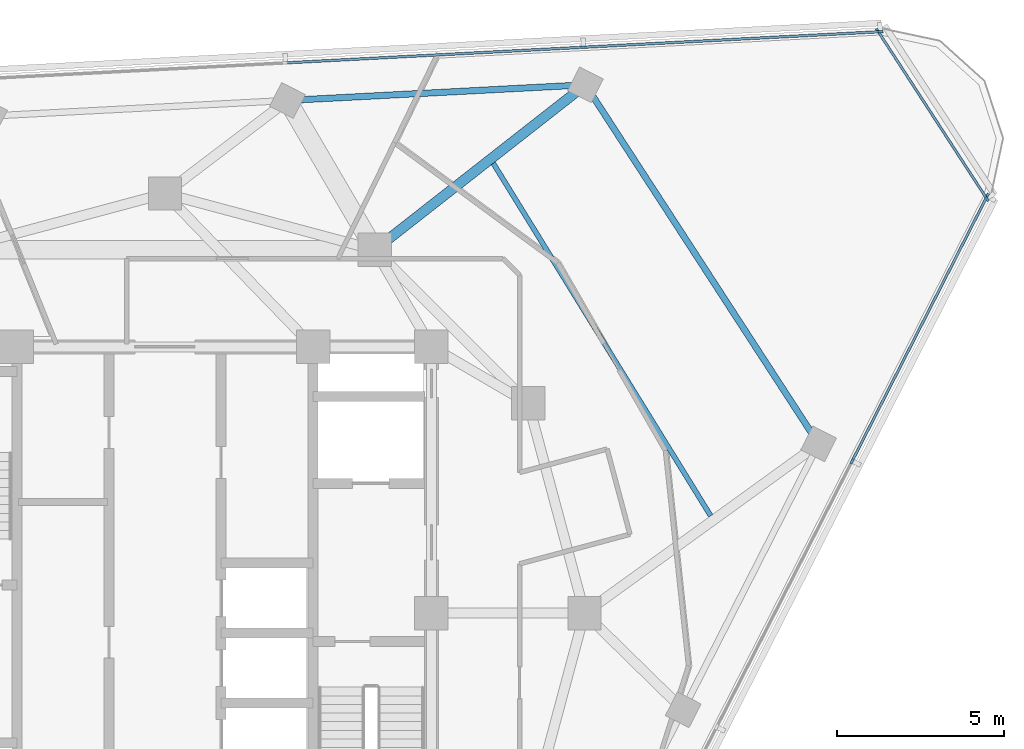
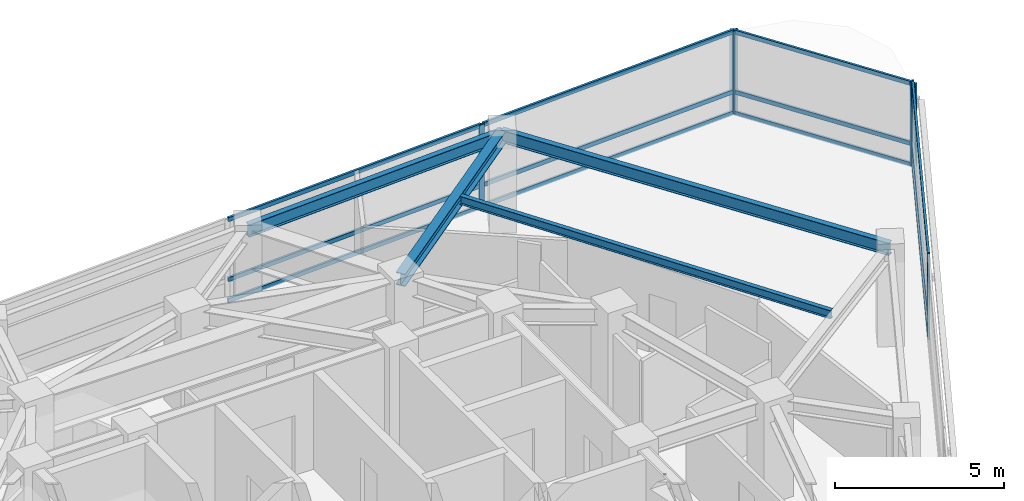
# One storey, part 6 of 15: 18 members, 4 beams, 3 elements without a shape of their own.
"""IFC4 building model written with IfcOpenShell, lengths in metres."""

from ifc_helpers import new_model, si_unit, direction, frame, origin, origin_2d, place, context, subcontext, project, spatial, rectangle, i_section, extrude, material, layer, layer_set, material_profile, profile_set, type_object, element, aggregate, save


model = new_model("IFC4")

# Units and contexts
model_context = context("Model", 3, precision=1e-05, world=origin(), true_north=direction((0.0, 1.0)))
body_context = subcontext(model_context, "Body", "Model", "MODEL_VIEW")
ifc_project = project(units=[si_unit("LENGTHUNIT", "METRE"), si_unit("AREAUNIT", "SQUARE_METRE"), si_unit("VOLUMEUNIT", "CUBIC_METRE"), si_unit("PLANEANGLEUNIT", "RADIAN"), si_unit("MASSUNIT", "GRAM", prefix="KILO")], contexts=[model_context])

# Site, building, storey
site_placement = place(None, origin())
site = spatial("IfcSite", under=ifc_project, at=site_placement, CompositionType="ELEMENT")
building_placement = place(site_placement, origin())
building = spatial("IfcBuilding", under=site, at=building_placement, Name="Terralouvre Media Tower", CompositionType="ELEMENT")
storey_placement = place(building_placement, frame((0.0, 0.0, 267.0)))
storey = spatial("IfcBuildingStorey", under=building, at=storey_placement, Name="L69", CompositionType="ELEMENT", Elevation=267.0)

# Beam
ifc_material_1 = material(Name="Structural steel S355J2", Category="steel")
ifc_material_profile_1 = material_profile(ifc_material_1, i_section(OverallWidth=0.14990234375, OverallDepth=0.300048828125, WebThickness=0.007080078125, FlangeThickness=0.0107421875, at=origin_2d()), Name="IPE 300")
ifc_profile_set_1 = profile_set([ifc_material_profile_1], Name="Structural steel S355J2")
beam_type_1 = type_object("IfcBeamType", Name="Composite Floor Joist J-IPE300 (IPE 300)", PredefinedType="JOIST", material=ifc_profile_set_1)
beam_1_placement = place(storey_placement, frame((16.387451171875, 2.9228515625, 3.35009765625), z_axis=(-0.524944877802, 0.851136226035, 0.0), x_axis=(-0.851136226035, -0.524944877802, 0.0)))
element("IfcBeam", 1, at=beam_1_placement, inside=storey, type_object=beam_type_1, Name="L69 Framing Beam JT-L69-03", PredefinedType="JOIST", context=body_context, shape_type="SweptSolid", body=[
    extrude(i_section(OverallWidth=0.14990234375, OverallDepth=0.300048828125, WebThickness=0.007080078125, FlangeThickness=0.0107421875, at=origin_2d()), origin(), (0.0, 0.0, 1.0), 12.43701171875),
])

# Curtain wall, members
ifc_material_2 = material(Name="Low-iron laminated double glazing with solar-control coating", Category="glass")
ifc_layer_1 = layer(ifc_material_2, 0.1650390625, Name="Upper Executive Tower Curtain Wall CW-05")
ifc_layer_set_1 = layer_set([ifc_layer_1], Name="Low-iron laminated double glazing with solar-control coating")
curtain_wall_type_1 = type_object("IfcCurtainWallType", Name="Upper Executive Tower Curtain Wall CW-05", PredefinedType="NOTDEFINED", material=ifc_layer_set_1)
curtain_wall_1_placement = place(storey_placement, origin())
curtain_wall_1 = element("IfcCurtainWall", 2, at=curtain_wall_1_placement, inside=storey, type_object=curtain_wall_type_1, Name="L69 Facade Curtain Wall F0", PredefinedType="NOTDEFINED")
ifc_material_3 = material(Name="Anodised extruded aluminium 6063-T6", Category="aluminium")
ifc_material_profile_2 = material_profile(ifc_material_3, rectangle(XDim=0.074951171875, YDim=0.14990234375, at=origin_2d()), Name="ALU 75x150")
ifc_profile_set_2 = profile_set([ifc_material_profile_2], Name="Anodised extruded aluminium 6063-T6")
member_type_1 = type_object("IfcMemberType", Name="Curtain-Wall Horizontal Transom TR-150", PredefinedType="USERDEFINED", material=ifc_profile_set_2)
member_1_placement = place(storey_placement, frame((20.6533203125, 4.602783203125, 0.03759765625), z_axis=(0.453989026721, 0.891007274727, 0.0), x_axis=(-0.891007274727, 0.453989026721, 0.0)))
member_1 = element("IfcMember", 3, at=member_1_placement, type_object=member_type_1, Name="CW-05 transom 5.1", ObjectType="TRANSOM", PredefinedType="USERDEFINED", context=body_context, shape_type="SweptSolid", body=[
    extrude(rectangle(XDim=0.074951171875, YDim=0.14990234375, at=origin_2d()), origin(), (0.0, 0.0, 1.0), 8.847412109375),
])
member_2_placement = place(storey_placement, frame((20.6533203125, 4.602783203125, 0.800048828125), z_axis=(0.453989026721, 0.891007274727, 0.0), x_axis=(-0.891007274727, 0.453989026721, 0.0)))
member_2 = element("IfcMember", 4, at=member_2_placement, type_object=member_type_1, Name="CW-05 transom 5.2", ObjectType="TRANSOM", PredefinedType="USERDEFINED", context=body_context, shape_type="SweptSolid", body=[
    extrude(rectangle(XDim=0.074951171875, YDim=0.14990234375, at=origin_2d()), origin(), (0.0, 0.0, 1.0), 8.847412109375),
])
member_3_placement = place(storey_placement, frame((20.6533203125, 4.602783203125, 2.96240234375), z_axis=(0.453989026721, 0.891007274727, 0.0), x_axis=(-0.891007274727, 0.453989026721, 0.0)))
member_3 = element("IfcMember", 5, at=member_3_placement, type_object=member_type_1, Name="CW-05 transom 5.3", ObjectType="TRANSOM", PredefinedType="USERDEFINED", context=body_context, shape_type="SweptSolid", body=[
    extrude(rectangle(XDim=0.074951171875, YDim=0.14990234375, at=origin_2d()), origin(), (0.0, 0.0, 1.0), 8.847412109375),
])

curtain_wall_2_placement = place(storey_placement, origin())
curtain_wall_2 = element("IfcCurtainWall", 6, at=curtain_wall_2_placement, inside=storey, type_object=curtain_wall_type_1, Name="L69 Facade Curtain Wall F1", PredefinedType="NOTDEFINED")
member_4_placement = place(storey_placement, frame((21.440673828125, 17.458740234375, 0.03759765625), z_axis=(-0.99862901196, -0.052345930801, 0.0), x_axis=(0.052345930801, -0.99862901196, 0.0)))
member_4 = element("IfcMember", 7, at=member_4_placement, type_object=member_type_1, Name="CW-05 transom 1.1", ObjectType="TRANSOM", PredefinedType="USERDEFINED", context=body_context, shape_type="SweptSolid", body=[
    extrude(rectangle(XDim=0.074951171875, YDim=0.14990234375, at=origin_2d()), origin(), (0.0, 0.0, 1.0), 8.84765625),
])
member_5_placement = place(storey_placement, frame((21.440673828125, 17.458740234375, 0.800048828125), z_axis=(-0.99862901196, -0.052345930801, 0.0), x_axis=(0.052345930801, -0.99862901196, 0.0)))
member_5 = element("IfcMember", 8, at=member_5_placement, type_object=member_type_1, Name="CW-05 transom 1.2", ObjectType="TRANSOM", PredefinedType="USERDEFINED", context=body_context, shape_type="SweptSolid", body=[
    extrude(rectangle(XDim=0.074951171875, YDim=0.14990234375, at=origin_2d()), origin(), (0.0, 0.0, 1.0), 8.84765625),
])
member_6_placement = place(storey_placement, frame((21.440673828125, 17.458740234375, 2.96240234375), z_axis=(-0.99862901196, -0.052345930801, 0.0), x_axis=(0.052345930801, -0.99862901196, 0.0)))
member_6 = element("IfcMember", 9, at=member_6_placement, type_object=member_type_1, Name="CW-05 transom 1.3", ObjectType="TRANSOM", PredefinedType="USERDEFINED", context=body_context, shape_type="SweptSolid", body=[
    extrude(rectangle(XDim=0.074951171875, YDim=0.14990234375, at=origin_2d()), origin(), (0.0, 0.0, 1.0), 8.84765625),
])
member_7_placement = place(storey_placement, frame((12.5302734375, 16.99169921875, 0.03759765625), z_axis=(-0.998629040577, -0.052345384869, 0.0), x_axis=(0.052345384869, -0.998629040577, 0.0)))
member_7 = element("IfcMember", 10, at=member_7_placement, type_object=member_type_1, Name="CW-05 transom 2.1", ObjectType="TRANSOM", PredefinedType="USERDEFINED", context=body_context, shape_type="SweptSolid", body=[
    extrude(rectangle(XDim=0.074951171875, YDim=0.14990234375, at=origin_2d()), origin(), (0.0, 0.0, 1.0), 8.885009765625),
])
member_8_placement = place(storey_placement, frame((12.5302734375, 16.99169921875, 0.800048828125), z_axis=(-0.998629040577, -0.052345384869, 0.0), x_axis=(0.052345384869, -0.998629040577, 0.0)))
member_8 = element("IfcMember", 11, at=member_8_placement, type_object=member_type_1, Name="CW-05 transom 2.2", ObjectType="TRANSOM", PredefinedType="USERDEFINED", context=body_context, shape_type="SweptSolid", body=[
    extrude(rectangle(XDim=0.074951171875, YDim=0.14990234375, at=origin_2d()), origin(), (0.0, 0.0, 1.0), 8.885009765625),
])
member_9_placement = place(storey_placement, frame((12.5302734375, 16.99169921875, 2.96240234375), z_axis=(-0.998629040577, -0.052345384869, 0.0), x_axis=(0.052345384869, -0.998629040577, 0.0)))
member_9 = element("IfcMember", 12, at=member_9_placement, type_object=member_type_1, Name="CW-05 transom 2.3", ObjectType="TRANSOM", PredefinedType="USERDEFINED", context=body_context, shape_type="SweptSolid", body=[
    extrude(rectangle(XDim=0.074951171875, YDim=0.14990234375, at=origin_2d()), origin(), (0.0, 0.0, 1.0), 8.885009765625),
])

ifc_material_4 = material(Name="Low-iron laminated double glazing with solar-control coating", Category="glass")
ifc_layer_2 = layer(ifc_material_4, 0.1650390625, Name="Rounded Wind-Corner Curved Glazing CW-04")
ifc_layer_set_2 = layer_set([ifc_layer_2], Name="Low-iron laminated double glazing with solar-control coating")
curtain_wall_type_2 = type_object("IfcCurtainWallType", Name="Rounded Wind-Corner Curved Glazing CW-04", PredefinedType="NOTDEFINED", material=ifc_layer_set_2)
curtain_wall_3_placement = place(storey_placement, origin())
curtain_wall_3 = element("IfcCurtainWall", 13, at=curtain_wall_3_placement, inside=storey, type_object=curtain_wall_type_2, Name="L69 Rounded Wind-Corner Curtain Wall C1", PredefinedType="NOTDEFINED")
member_10_placement = place(storey_placement, frame((24.65283203125, 12.48486328125, 0.03759765625), z_axis=(-0.544654480098, 0.838660537589, 0.0), x_axis=(-0.838660537589, -0.544654480098, 0.0)))
member_10 = element("IfcMember", 14, at=member_10_placement, type_object=member_type_1, Name="CW-04 transom 1.1", ObjectType="TRANSOM", PredefinedType="USERDEFINED", context=body_context, shape_type="SweptSolid", body=[
    extrude(rectangle(XDim=0.074951171875, YDim=0.14990234375, at=origin_2d()), origin(), (0.0, 0.0, 1.0), 5.912353515625),
])
member_11_placement = place(storey_placement, frame((24.65283203125, 12.48486328125, 0.800048828125), z_axis=(-0.544654480098, 0.838660537589, 0.0), x_axis=(-0.838660537589, -0.544654480098, 0.0)))
member_11 = element("IfcMember", 15, at=member_11_placement, type_object=member_type_1, Name="CW-04 transom 1.2", ObjectType="TRANSOM", PredefinedType="USERDEFINED", context=body_context, shape_type="SweptSolid", body=[
    extrude(rectangle(XDim=0.074951171875, YDim=0.14990234375, at=origin_2d()), origin(), (0.0, 0.0, 1.0), 5.912353515625),
])
member_12_placement = place(storey_placement, frame((24.65283203125, 12.48486328125, 2.96240234375), z_axis=(-0.544654480098, 0.838660537589, 0.0), x_axis=(-0.838660537589, -0.544654480098, 0.0)))
member_12 = element("IfcMember", 16, at=member_12_placement, type_object=member_type_1, Name="CW-04 transom 1.3", ObjectType="TRANSOM", PredefinedType="USERDEFINED", context=body_context, shape_type="SweptSolid", body=[
    extrude(rectangle(XDim=0.074951171875, YDim=0.14990234375, at=origin_2d()), origin(), (0.0, 0.0, 1.0), 5.912353515625),
])

# Member
ifc_material_5 = material(Name="Anodised extruded aluminium 6063-T6", Category="aluminium")
ifc_material_profile_3 = material_profile(ifc_material_5, rectangle(XDim=0.074951171875, YDim=0.179931640625, at=origin_2d()), Name="ALU 75x180")
ifc_profile_set_3 = profile_set([ifc_material_profile_3], Name="Anodised extruded aluminium 6063-T6")
member_type_2 = type_object("IfcMemberType", Name="Curtain-Wall Vertical Mullion ML-180", PredefinedType="MULLION", material=ifc_profile_set_3)
member_13_placement = place(storey_placement, frame((20.63623046875, 4.5693359375, 0.0), z_axis=(0.0, 0.0, 1.0), x_axis=(-0.891006553308, 0.45399044259, 0.0)))
member_13 = element("IfcMember", 17, at=member_13_placement, type_object=member_type_2, Name="CW-05 mullion 5", PredefinedType="MULLION", context=body_context, shape_type="SweptSolid", body=[
    extrude(rectangle(XDim=0.074951171875, YDim=0.179931640625, at=origin_2d()), origin(), (0.0, 0.0, 1.0), 3.0),
])

member_14_placement = place(storey_placement, frame((24.68701171875, 12.519287109375, 0.0), z_axis=(0.0, 0.0, 1.0), x_axis=(-0.891006553308, 0.45399044259, 0.0)))
member_14 = element("IfcMember", 18, at=member_14_placement, type_object=member_type_2, Name="CW-05 mullion 6", PredefinedType="MULLION", context=body_context, shape_type="SweptSolid", body=[
    extrude(rectangle(XDim=0.074951171875, YDim=0.179931640625, at=origin_2d()), origin(), (0.0, 0.0, 1.0), 3.0),
])

aggregate(curtain_wall_1, [member_13, member_14, member_1, member_2, member_3])

member_15_placement = place(storey_placement, frame((21.47802734375, 17.460693359375, 0.0), z_axis=(0.0, 0.0, 1.0), x_axis=(0.052336163844, -0.998629523875, 0.0)))
member_15 = element("IfcMember", 19, at=member_15_placement, type_object=member_type_2, Name="CW-05 mullion 1", PredefinedType="MULLION", context=body_context, shape_type="SweptSolid", body=[
    extrude(rectangle(XDim=0.074951171875, YDim=0.179931640625, at=origin_2d()), origin(), (0.0, 0.0, 1.0), 3.0),
])

member_16_placement = place(storey_placement, frame((12.56787109375, 16.99365234375, 0.0), z_axis=(0.0, 0.0, 1.0), x_axis=(0.052336163844, -0.998629523875, 0.0)))
member_16 = element("IfcMember", 20, at=member_16_placement, type_object=member_type_2, Name="CW-05 mullion 2", PredefinedType="MULLION", context=body_context, shape_type="SweptSolid", body=[
    extrude(rectangle(XDim=0.074951171875, YDim=0.179931640625, at=origin_2d()), origin(), (0.0, 0.0, 1.0), 3.0),
])

aggregate(curtain_wall_2, [member_15, member_16, member_4, member_5, member_6, member_7, member_8, member_9])

member_17_placement = place(storey_placement, frame((24.673095703125, 12.453369140625, 0.0), z_axis=(0.0, 0.0, 1.0), x_axis=(-0.838670462688, -0.544639197097, 0.0)))
member_17 = element("IfcMember", 21, at=member_17_placement, type_object=member_type_2, Name="CW-04 mullion 1", PredefinedType="MULLION", context=body_context, shape_type="SweptSolid", body=[
    extrude(rectangle(XDim=0.074951171875, YDim=0.179931640625, at=origin_2d()), origin(), (0.0, 0.0, 1.0), 3.0),
])

member_18_placement = place(storey_placement, frame((21.412353515625, 17.474853515625, 0.0), z_axis=(0.0, 0.0, 1.0), x_axis=(-0.838670462688, -0.544639197097, 0.0)))
member_18 = element("IfcMember", 22, at=member_18_placement, type_object=member_type_2, Name="CW-04 mullion 2", PredefinedType="MULLION", context=body_context, shape_type="SweptSolid", body=[
    extrude(rectangle(XDim=0.074951171875, YDim=0.179931640625, at=origin_2d()), origin(), (0.0, 0.0, 1.0), 3.0),
])

aggregate(curtain_wall_3, [member_17, member_18, member_10, member_11, member_12])

# Beams
ifc_material_6 = material(Name="Structural steel S355J2", Category="steel")
ifc_material_profile_4 = material_profile(ifc_material_6, i_section(OverallWidth=0.18994140625, OverallDepth=0.449951171875, WebThickness=0.009521484375, FlangeThickness=0.0146484375, at=origin_2d()), Name="IPE 450")
ifc_profile_set_4 = profile_set([ifc_material_profile_4], Name="Structural steel S355J2")
beam_type_2 = type_object("IfcBeamType", Name="Perimeter Spandrel Beam SPB-450 (IPE 450)", PredefinedType="SPANDREL", material=ifc_profile_set_4)
beam_2_placement = place(storey_placement, frame((19.62939453125, 5.082275390625, 3.27490234375), z_axis=(-0.544633890672, 0.838673908699, 0.0), x_axis=(-0.838673908699, -0.544633890672, 0.0)))
element("IfcBeam", 23, at=beam_2_placement, inside=storey, type_object=beam_type_2, Name="L69 Framing Beam BM-L69-PR07", PredefinedType="SPANDREL", context=body_context, shape_type="SweptSolid", body=[
    extrude(i_section(OverallWidth=0.18994140625, OverallDepth=0.449951171875, WebThickness=0.009521484375, FlangeThickness=0.0146484375, at=origin_2d()), origin(), (0.0, 0.0, 1.0), 12.857177734375),
])
beam_3_placement = place(storey_placement, frame((12.626953125, 15.865234375, 3.264892578125), z_axis=(-0.998629171747, -0.052342882372, 0.0), x_axis=(0.052342882372, -0.998629171747, 0.0)))
element("IfcBeam", 24, at=beam_3_placement, inside=storey, type_object=beam_type_2, Name="L69 Framing Beam BM-L69-PR08", PredefinedType="SPANDREL", context=body_context, shape_type="SweptSolid", body=[
    extrude(i_section(OverallWidth=0.18994140625, OverallDepth=0.449951171875, WebThickness=0.009521484375, FlangeThickness=0.0146484375, at=origin_2d()), origin(), (0.0, 0.0, 1.0), 8.9599609375),
])
ifc_material_7 = material(Name="Structural steel S355J2", Category="steel")
ifc_material_profile_5 = material_profile(ifc_material_7, i_section(OverallWidth=0.300048828125, OverallDepth=0.449951171875, WebThickness=0.013916015625, FlangeThickness=0.02587890625, at=origin_2d()), Name="HEB 450")
ifc_profile_set_5 = profile_set([ifc_material_profile_5], Name="Structural steel S355J2")
beam_type_3 = type_object("IfcBeamType", Name="Primary Floor Girder B-HEB450 (HEB 450)", PredefinedType="BEAM", material=ifc_profile_set_5)
beam_4_placement = place(storey_placement, frame((6.300048828125, 10.911865234375, 3.27490234375), z_axis=(0.787391503235, 0.616453259083, 0.0), x_axis=(-0.616453259083, 0.787391503235, 0.0)))
element("IfcBeam", 25, at=beam_4_placement, inside=storey, type_object=beam_type_3, Name="L69 Framing Beam BM-L69-RD08", PredefinedType="BEAM", context=body_context, shape_type="SweptSolid", body=[
    extrude(i_section(OverallWidth=0.300048828125, OverallDepth=0.449951171875, WebThickness=0.013916015625, FlangeThickness=0.02587890625, at=origin_2d()), origin(), (0.0, 0.0, 1.0), 8.03515625),
])

save(model, "model.ifc")
